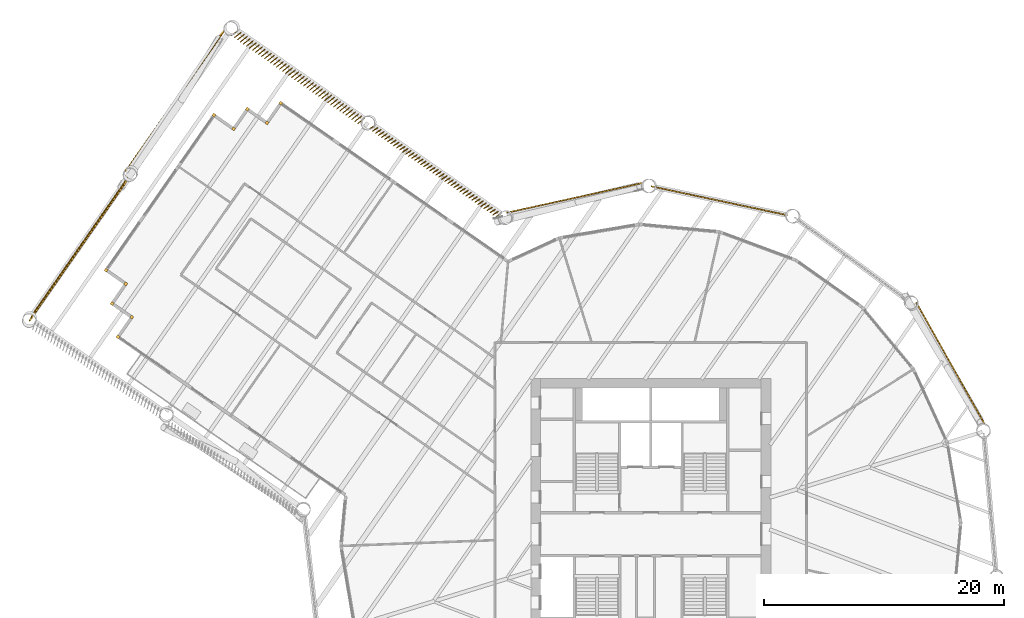
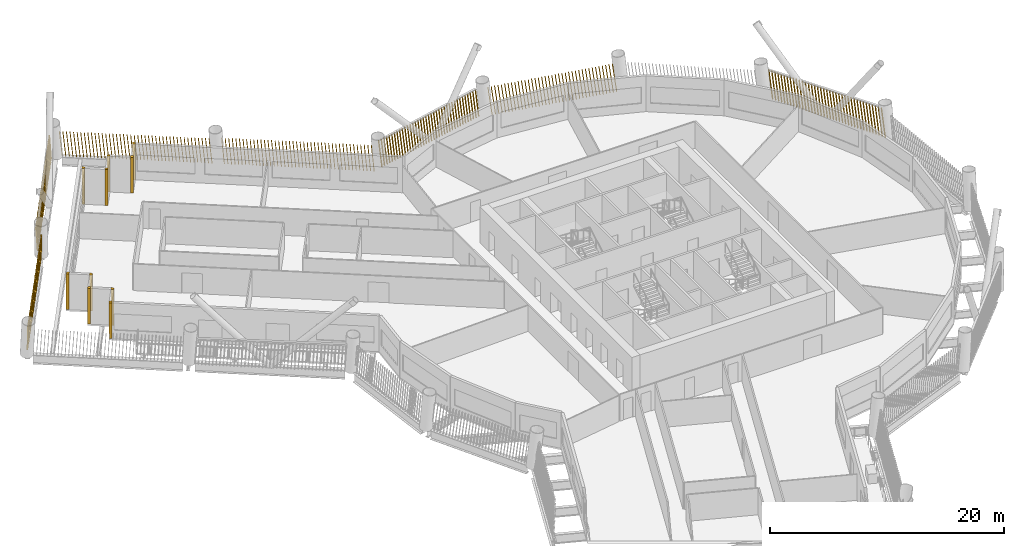
# One storey, part 21 of 23: 17 shading devices.
"""IFC4 building model written with IfcOpenShell, lengths in metres."""

from ifc_helpers import new_model, si_unit, direction, frame, frame_2d, origin, origin_2d, place, context, subcontext, project, spatial, rectangle, composite_profile, extrude, material, type_object, element, save


model = new_model("IFC4")

# Units and contexts
model_context = context("Model", 3, precision=1e-05, world=origin(), true_north=direction((0.0, 1.0)))
body_context = subcontext(model_context, "Body", "Model", "MODEL_VIEW")
ifc_project = project(units=[si_unit("LENGTHUNIT", "METRE"), si_unit("AREAUNIT", "SQUARE_METRE"), si_unit("VOLUMEUNIT", "CUBIC_METRE"), si_unit("PLANEANGLEUNIT", "RADIAN"), si_unit("MASSUNIT", "GRAM", prefix="KILO")], contexts=[model_context])

# Site, building, storey
site_placement = place(None, origin())
site = spatial("IfcSite", under=ifc_project, at=site_placement, CompositionType="ELEMENT")
building_placement = place(site_placement, origin())
building = spatial("IfcBuilding", under=site, at=building_placement, Name="Tarsis Ring Headquarters", CompositionType="ELEMENT")
storey_placement = place(building_placement, frame((0.0, 0.0, 131.800048828125)))
storey = spatial("IfcBuildingStorey", under=building, at=storey_placement, Name="L30", CompositionType="ELEMENT", Elevation=131.800048828125)

# Shading devices
ifc_material = material(Name="Terracotta baguette", Category="masonry")
shading_device_type_1 = type_object("IfcShadingDeviceType", Name="Terracotta baguette screen", PredefinedType="USERDEFINED", material=ifc_material)
shading_device_1_placement = place(storey_placement, frame((27.83740234375, 9.190185546875, 0.0), z_axis=(0.0, 0.0, 1.0), x_axis=(-0.489853499729, 0.871795984807, 0.0)))
element("IfcShadingDevice", 1, at=shading_device_1_placement, inside=storey, type_object=shading_device_type_1, Name="Baguette screen L30-11", ObjectType="Terracotta baguette screen", PredefinedType="USERDEFINED", context=body_context, shape_type="SweptSolid", body=[
    extrude(composite_profile([rectangle(XDim=0.06005859375, YDim=0.1201171875, at=frame_2d((0.030029296875, 0.0))), rectangle(XDim=0.06005859375, YDim=0.1201171875, at=frame_2d((0.33251953125, 0.0))), rectangle(XDim=0.06005859375, YDim=0.1201171875, at=frame_2d((0.634765625, 0.0))), rectangle(XDim=0.06005859375, YDim=0.1201171875, at=frame_2d((0.937255859375, 0.0))), rectangle(XDim=0.06005859375, YDim=0.1201171875, at=frame_2d((1.239501953125, 0.0))), rectangle(XDim=0.06005859375, YDim=0.1201171875, at=frame_2d((1.5419921875, 0.0))), rectangle(XDim=0.06005859375, YDim=0.1201171875, at=frame_2d((1.844482421875, 0.0))), rectangle(XDim=0.06005859375, YDim=0.1201171875, at=frame_2d((2.146728515625, 0.0))), rectangle(XDim=0.06005859375, YDim=0.1201171875, at=frame_2d((2.44921875, 0.0))), rectangle(XDim=0.06005859375, YDim=0.1201171875, at=frame_2d((2.751708984375, 0.0))), rectangle(XDim=0.06005859375, YDim=0.1201171875, at=frame_2d((3.053955078125, 0.0))), rectangle(XDim=0.06005859375, YDim=0.1201171875, at=frame_2d((3.3564453125, 0.0))), rectangle(XDim=0.06005859375, YDim=0.1201171875, at=frame_2d((3.65869140625, 0.0))), rectangle(XDim=0.06005859375, YDim=0.1201171875, at=frame_2d((3.961181640625, 0.0))), rectangle(XDim=0.06005859375, YDim=0.1201171875, at=frame_2d((4.263671875, 0.0))), rectangle(XDim=0.06005859375, YDim=0.1201171875, at=frame_2d((4.56591796875, 0.0))), rectangle(XDim=0.06005859375, YDim=0.1201171875, at=frame_2d((4.868408203125, 0.0))), rectangle(XDim=0.06005859375, YDim=0.1201171875, at=frame_2d((5.1708984375, 0.0))), rectangle(XDim=0.06005859375, YDim=0.1201171875, at=frame_2d((5.47314453125, 0.0))), rectangle(XDim=0.06005859375, YDim=0.1201171875, at=frame_2d((5.775634765625, 0.0))), rectangle(XDim=0.06005859375, YDim=0.1201171875, at=frame_2d((6.077880859375, 0.0))), rectangle(XDim=0.06005859375, YDim=0.1201171875, at=frame_2d((6.38037109375, 0.0))), rectangle(XDim=0.06005859375, YDim=0.1201171875, at=frame_2d((6.682861328125, 0.0))), rectangle(XDim=0.06005859375, YDim=0.1201171875, at=frame_2d((6.985107421875, 0.0))), rectangle(XDim=0.06005859375, YDim=0.1201171875, at=frame_2d((7.28759765625, 0.0))), rectangle(XDim=0.06005859375, YDim=0.1201171875, at=frame_2d((7.590087890625, 0.0))), rectangle(XDim=0.06005859375, YDim=0.1201171875, at=frame_2d((7.892333984375, 0.0))), rectangle(XDim=0.06005859375, YDim=0.1201171875, at=frame_2d((8.19482421875, 0.0))), rectangle(XDim=0.06005859375, YDim=0.1201171875, at=frame_2d((8.4970703125, 0.0))), rectangle(XDim=0.06005859375, YDim=0.1201171875, at=frame_2d((8.799560546875, 0.0))), rectangle(XDim=0.06005859375, YDim=0.1201171875, at=frame_2d((9.10205078125, 0.0))), rectangle(XDim=0.06005859375, YDim=0.1201171875, at=frame_2d((9.404296875, 0.0))), rectangle(XDim=0.06005859375, YDim=0.1201171875, at=frame_2d((9.706787109375, 0.0))), rectangle(XDim=0.06005859375, YDim=0.1201171875, at=frame_2d((10.00927734375, 0.0))), rectangle(XDim=0.06005859375, YDim=0.1201171875, at=frame_2d((10.3115234375, 0.0))), rectangle(XDim=0.06005859375, YDim=0.1201171875, at=frame_2d((10.614013671875, 0.0))), rectangle(XDim=0.06005859375, YDim=0.1201171875, at=frame_2d((10.916259765625, 0.0))), rectangle(XDim=0.06005859375, YDim=0.1201171875, at=frame_2d((11.21875, 0.0)))]), origin(), (0.131493755415, 0.000894945445, 0.991316594918), 2.978515625),
])
shading_device_2_placement = place(storey_placement, frame((11.397705078125, 26.60888671875, 0.0), z_axis=(0.0, 0.0, 1.0), x_axis=(-0.978209441129, 0.207639717851, 0.0)))
element("IfcShadingDevice", 2, at=shading_device_2_placement, inside=storey, type_object=shading_device_type_1, Name="Baguette screen L30-13", ObjectType="Terracotta baguette screen", PredefinedType="USERDEFINED", context=body_context, shape_type="SweptSolid", body=[
    extrude(composite_profile([rectangle(XDim=0.06005859375, YDim=0.1201171875, at=frame_2d((0.030029296875, 0.0))), rectangle(XDim=0.06005859375, YDim=0.1201171875, at=frame_2d((0.33251953125, 0.0))), rectangle(XDim=0.06005859375, YDim=0.1201171875, at=frame_2d((0.634765625, 0.0))), rectangle(XDim=0.06005859375, YDim=0.1201171875, at=frame_2d((0.937255859375, 0.0))), rectangle(XDim=0.06005859375, YDim=0.1201171875, at=frame_2d((1.239501953125, 0.0))), rectangle(XDim=0.06005859375, YDim=0.1201171875, at=frame_2d((1.5419921875, 0.0))), rectangle(XDim=0.06005859375, YDim=0.1201171875, at=frame_2d((1.844482421875, 0.0))), rectangle(XDim=0.06005859375, YDim=0.1201171875, at=frame_2d((2.146728515625, 0.0))), rectangle(XDim=0.06005859375, YDim=0.1201171875, at=frame_2d((2.44921875, 0.0))), rectangle(XDim=0.06005859375, YDim=0.1201171875, at=frame_2d((2.751708984375, 0.0))), rectangle(XDim=0.06005859375, YDim=0.1201171875, at=frame_2d((3.053955078125, 0.0))), rectangle(XDim=0.06005859375, YDim=0.1201171875, at=frame_2d((3.3564453125, 0.0))), rectangle(XDim=0.06005859375, YDim=0.1201171875, at=frame_2d((3.65869140625, 0.0))), rectangle(XDim=0.06005859375, YDim=0.1201171875, at=frame_2d((3.961181640625, 0.0))), rectangle(XDim=0.06005859375, YDim=0.1201171875, at=frame_2d((4.263671875, 0.0))), rectangle(XDim=0.06005859375, YDim=0.1201171875, at=frame_2d((4.56591796875, 0.0))), rectangle(XDim=0.06005859375, YDim=0.1201171875, at=frame_2d((4.868408203125, 0.0))), rectangle(XDim=0.06005859375, YDim=0.1201171875, at=frame_2d((5.1708984375, 0.0))), rectangle(XDim=0.06005859375, YDim=0.1201171875, at=frame_2d((5.47314453125, 0.0))), rectangle(XDim=0.06005859375, YDim=0.1201171875, at=frame_2d((5.775634765625, 0.0))), rectangle(XDim=0.06005859375, YDim=0.1201171875, at=frame_2d((6.077880859375, 0.0))), rectangle(XDim=0.06005859375, YDim=0.1201171875, at=frame_2d((6.38037109375, 0.0))), rectangle(XDim=0.06005859375, YDim=0.1201171875, at=frame_2d((6.682861328125, 0.0))), rectangle(XDim=0.06005859375, YDim=0.1201171875, at=frame_2d((6.985107421875, 0.0))), rectangle(XDim=0.06005859375, YDim=0.1201171875, at=frame_2d((7.28759765625, 0.0))), rectangle(XDim=0.06005859375, YDim=0.1201171875, at=frame_2d((7.590087890625, 0.0))), rectangle(XDim=0.06005859375, YDim=0.1201171875, at=frame_2d((7.892333984375, 0.0))), rectangle(XDim=0.06005859375, YDim=0.1201171875, at=frame_2d((8.19482421875, 0.0))), rectangle(XDim=0.06005859375, YDim=0.1201171875, at=frame_2d((8.4970703125, 0.0))), rectangle(XDim=0.06005859375, YDim=0.1201171875, at=frame_2d((8.799560546875, 0.0))), rectangle(XDim=0.06005859375, YDim=0.1201171875, at=frame_2d((9.10205078125, 0.0))), rectangle(XDim=0.06005859375, YDim=0.1201171875, at=frame_2d((9.404296875, 0.0))), rectangle(XDim=0.06005859375, YDim=0.1201171875, at=frame_2d((9.706787109375, 0.0))), rectangle(XDim=0.06005859375, YDim=0.1201171875, at=frame_2d((10.00927734375, 0.0))), rectangle(XDim=0.06005859375, YDim=0.1201171875, at=frame_2d((10.3115234375, 0.0))), rectangle(XDim=0.06005859375, YDim=0.1201171875, at=frame_2d((10.614013671875, 0.0))), rectangle(XDim=0.06005859375, YDim=0.1201171875, at=frame_2d((10.916259765625, 0.0))), rectangle(XDim=0.06005859375, YDim=0.1201171875, at=frame_2d((11.21875, 0.0)))]), origin(), (0.129810655173, 0.000884144365, 0.991538406766), 2.977783203125),
])
shading_device_3_placement = place(storey_placement, frame((-0.663818359375, 29.3076171875, 0.0), z_axis=(0.0, 0.0, 1.0), x_axis=(-0.976820401519, -0.214020618557, 0.0)))
element("IfcShadingDevice", 3, at=shading_device_3_placement, inside=storey, type_object=shading_device_type_1, Name="Baguette screen L30-14", ObjectType="Terracotta baguette screen", PredefinedType="USERDEFINED", context=body_context, shape_type="SweptSolid", body=[
    extrude(composite_profile([rectangle(XDim=0.06005859375, YDim=0.1201171875, at=frame_2d((0.030029296875, 0.0))), rectangle(XDim=0.06005859375, YDim=0.1201171875, at=frame_2d((0.33251953125, 0.0))), rectangle(XDim=0.06005859375, YDim=0.1201171875, at=frame_2d((0.634765625, 0.0))), rectangle(XDim=0.06005859375, YDim=0.1201171875, at=frame_2d((0.937255859375, 0.0))), rectangle(XDim=0.06005859375, YDim=0.1201171875, at=frame_2d((1.239501953125, 0.0))), rectangle(XDim=0.06005859375, YDim=0.1201171875, at=frame_2d((1.5419921875, 0.0))), rectangle(XDim=0.06005859375, YDim=0.1201171875, at=frame_2d((1.844482421875, 0.0))), rectangle(XDim=0.06005859375, YDim=0.1201171875, at=frame_2d((2.146728515625, 0.0))), rectangle(XDim=0.06005859375, YDim=0.1201171875, at=frame_2d((2.44921875, 0.0))), rectangle(XDim=0.06005859375, YDim=0.1201171875, at=frame_2d((2.751708984375, 0.0))), rectangle(XDim=0.06005859375, YDim=0.1201171875, at=frame_2d((3.053955078125, 0.0))), rectangle(XDim=0.06005859375, YDim=0.1201171875, at=frame_2d((3.3564453125, 0.0))), rectangle(XDim=0.06005859375, YDim=0.1201171875, at=frame_2d((3.65869140625, 0.0))), rectangle(XDim=0.06005859375, YDim=0.1201171875, at=frame_2d((3.961181640625, 0.0))), rectangle(XDim=0.06005859375, YDim=0.1201171875, at=frame_2d((4.263671875, 0.0))), rectangle(XDim=0.06005859375, YDim=0.1201171875, at=frame_2d((4.56591796875, 0.0))), rectangle(XDim=0.06005859375, YDim=0.1201171875, at=frame_2d((4.868408203125, 0.0))), rectangle(XDim=0.06005859375, YDim=0.1201171875, at=frame_2d((5.1708984375, 0.0))), rectangle(XDim=0.06005859375, YDim=0.1201171875, at=frame_2d((5.47314453125, 0.0))), rectangle(XDim=0.06005859375, YDim=0.1201171875, at=frame_2d((5.775634765625, 0.0))), rectangle(XDim=0.06005859375, YDim=0.1201171875, at=frame_2d((6.077880859375, 0.0))), rectangle(XDim=0.06005859375, YDim=0.1201171875, at=frame_2d((6.38037109375, 0.0))), rectangle(XDim=0.06005859375, YDim=0.1201171875, at=frame_2d((6.682861328125, 0.0))), rectangle(XDim=0.06005859375, YDim=0.1201171875, at=frame_2d((6.985107421875, 0.0))), rectangle(XDim=0.06005859375, YDim=0.1201171875, at=frame_2d((7.28759765625, 0.0))), rectangle(XDim=0.06005859375, YDim=0.1201171875, at=frame_2d((7.590087890625, 0.0))), rectangle(XDim=0.06005859375, YDim=0.1201171875, at=frame_2d((7.892333984375, 0.0))), rectangle(XDim=0.06005859375, YDim=0.1201171875, at=frame_2d((8.19482421875, 0.0))), rectangle(XDim=0.06005859375, YDim=0.1201171875, at=frame_2d((8.4970703125, 0.0))), rectangle(XDim=0.06005859375, YDim=0.1201171875, at=frame_2d((8.799560546875, 0.0))), rectangle(XDim=0.06005859375, YDim=0.1201171875, at=frame_2d((9.10205078125, 0.0))), rectangle(XDim=0.06005859375, YDim=0.1201171875, at=frame_2d((9.404296875, 0.0))), rectangle(XDim=0.06005859375, YDim=0.1201171875, at=frame_2d((9.706787109375, 0.0))), rectangle(XDim=0.06005859375, YDim=0.1201171875, at=frame_2d((10.00927734375, 0.0))), rectangle(XDim=0.06005859375, YDim=0.1201171875, at=frame_2d((10.3115234375, 0.0))), rectangle(XDim=0.06005859375, YDim=0.1201171875, at=frame_2d((10.614013671875, 0.0))), rectangle(XDim=0.06005859375, YDim=0.1201171875, at=frame_2d((10.916259765625, 0.0))), rectangle(XDim=0.06005859375, YDim=0.1201171875, at=frame_2d((11.21875, 0.0)))]), origin(), (0.131494138913, 0.000896456622, 0.991316542683), 2.978515625),
])
shading_device_4_placement = place(storey_placement, frame((-12.470458984375, 26.71240234375, 0.0), z_axis=(0.0, 0.0, 1.0), x_axis=(-0.820750075689, 0.571279897063, 0.0)))
element("IfcShadingDevice", 4, at=shading_device_4_placement, inside=storey, type_object=shading_device_type_1, Name="Baguette screen L30-15", ObjectType="Terracotta baguette screen", PredefinedType="USERDEFINED", context=body_context, shape_type="SweptSolid", body=[
    extrude(composite_profile([rectangle(XDim=0.06005859375, YDim=0.1201171875, at=frame_2d((0.030029296875, 0.0))), rectangle(XDim=0.06005859375, YDim=0.1201171875, at=frame_2d((0.335693359375, 0.0))), rectangle(XDim=0.06005859375, YDim=0.1201171875, at=frame_2d((0.6416015625, 0.0))), rectangle(XDim=0.06005859375, YDim=0.1201171875, at=frame_2d((0.947265625, 0.0))), rectangle(XDim=0.06005859375, YDim=0.1201171875, at=frame_2d((1.253173828125, 0.0))), rectangle(XDim=0.06005859375, YDim=0.1201171875, at=frame_2d((1.558837890625, 0.0))), rectangle(XDim=0.06005859375, YDim=0.1201171875, at=frame_2d((1.864501953125, 0.0))), rectangle(XDim=0.06005859375, YDim=0.1201171875, at=frame_2d((2.17041015625, 0.0))), rectangle(XDim=0.06005859375, YDim=0.1201171875, at=frame_2d((2.47607421875, 0.0))), rectangle(XDim=0.06005859375, YDim=0.1201171875, at=frame_2d((2.781982421875, 0.0))), rectangle(XDim=0.06005859375, YDim=0.1201171875, at=frame_2d((3.087646484375, 0.0))), rectangle(XDim=0.06005859375, YDim=0.1201171875, at=frame_2d((3.393310546875, 0.0))), rectangle(XDim=0.06005859375, YDim=0.1201171875, at=frame_2d((3.69921875, 0.0))), rectangle(XDim=0.06005859375, YDim=0.1201171875, at=frame_2d((4.0048828125, 0.0))), rectangle(XDim=0.06005859375, YDim=0.1201171875, at=frame_2d((4.310791015625, 0.0))), rectangle(XDim=0.06005859375, YDim=0.1201171875, at=frame_2d((4.616455078125, 0.0))), rectangle(XDim=0.06005859375, YDim=0.1201171875, at=frame_2d((4.922119140625, 0.0))), rectangle(XDim=0.06005859375, YDim=0.1201171875, at=frame_2d((5.22802734375, 0.0))), rectangle(XDim=0.06005859375, YDim=0.1201171875, at=frame_2d((5.53369140625, 0.0))), rectangle(XDim=0.06005859375, YDim=0.1201171875, at=frame_2d((5.839599609375, 0.0))), rectangle(XDim=0.06005859375, YDim=0.1201171875, at=frame_2d((6.145263671875, 0.0))), rectangle(XDim=0.06005859375, YDim=0.1201171875, at=frame_2d((6.451171875, 0.0))), rectangle(XDim=0.06005859375, YDim=0.1201171875, at=frame_2d((6.7568359375, 0.0))), rectangle(XDim=0.06005859375, YDim=0.1201171875, at=frame_2d((7.0625, 0.0))), rectangle(XDim=0.06005859375, YDim=0.1201171875, at=frame_2d((7.368408203125, 0.0))), rectangle(XDim=0.06005859375, YDim=0.1201171875, at=frame_2d((7.674072265625, 0.0))), rectangle(XDim=0.06005859375, YDim=0.1201171875, at=frame_2d((7.97998046875, 0.0))), rectangle(XDim=0.06005859375, YDim=0.1201171875, at=frame_2d((8.28564453125, 0.0))), rectangle(XDim=0.06005859375, YDim=0.1201171875, at=frame_2d((8.59130859375, 0.0))), rectangle(XDim=0.06005859375, YDim=0.1201171875, at=frame_2d((8.897216796875, 0.0))), rectangle(XDim=0.06005859375, YDim=0.1201171875, at=frame_2d((9.202880859375, 0.0))), rectangle(XDim=0.06005859375, YDim=0.1201171875, at=frame_2d((9.5087890625, 0.0))), rectangle(XDim=0.06005859375, YDim=0.1201171875, at=frame_2d((9.814453125, 0.0))), rectangle(XDim=0.06005859375, YDim=0.1201171875, at=frame_2d((10.1201171875, 0.0))), rectangle(XDim=0.06005859375, YDim=0.1201171875, at=frame_2d((10.426025390625, 0.0))), rectangle(XDim=0.06005859375, YDim=0.1201171875, at=frame_2d((10.731689453125, 0.0))), rectangle(XDim=0.06005859375, YDim=0.1201171875, at=frame_2d((11.03759765625, 0.0))), rectangle(XDim=0.06005859375, YDim=0.1201171875, at=frame_2d((11.34326171875, 0.0))), rectangle(XDim=0.06005859375, YDim=0.1201171875, at=frame_2d((11.64892578125, 0.0))), rectangle(XDim=0.06005859375, YDim=0.1201171875, at=frame_2d((11.954833984375, 0.0))), rectangle(XDim=0.06005859375, YDim=0.1201171875, at=frame_2d((12.260498046875, 0.0))), rectangle(XDim=0.06005859375, YDim=0.1201171875, at=frame_2d((12.56640625, 0.0))), rectangle(XDim=0.06005859375, YDim=0.1201171875, at=frame_2d((12.8720703125, 0.0)))]), origin(), (0.066364941275, 0.1458443981, 0.987079077943), 2.9912109375),
])
shading_device_5_placement = place(storey_placement, frame((-23.880615234375, 34.654541015625, 0.0), z_axis=(0.0, 0.0, 1.0), x_axis=(-0.820750075689, 0.571279897063, 0.0)))
element("IfcShadingDevice", 5, at=shading_device_5_placement, inside=storey, type_object=shading_device_type_1, Name="Baguette screen L30-16", ObjectType="Terracotta baguette screen", PredefinedType="USERDEFINED", context=body_context, shape_type="SweptSolid", body=[
    extrude(composite_profile([rectangle(XDim=0.06005859375, YDim=0.1201171875, at=frame_2d((0.030029296875, 0.0))), rectangle(XDim=0.06005859375, YDim=0.1201171875, at=frame_2d((0.335693359375, 0.0))), rectangle(XDim=0.06005859375, YDim=0.1201171875, at=frame_2d((0.6416015625, 0.0))), rectangle(XDim=0.06005859375, YDim=0.1201171875, at=frame_2d((0.947265625, 0.0))), rectangle(XDim=0.06005859375, YDim=0.1201171875, at=frame_2d((1.253173828125, 0.0))), rectangle(XDim=0.06005859375, YDim=0.1201171875, at=frame_2d((1.558837890625, 0.0))), rectangle(XDim=0.06005859375, YDim=0.1201171875, at=frame_2d((1.864501953125, 0.0))), rectangle(XDim=0.06005859375, YDim=0.1201171875, at=frame_2d((2.17041015625, 0.0))), rectangle(XDim=0.06005859375, YDim=0.1201171875, at=frame_2d((2.47607421875, 0.0))), rectangle(XDim=0.06005859375, YDim=0.1201171875, at=frame_2d((2.781982421875, 0.0))), rectangle(XDim=0.06005859375, YDim=0.1201171875, at=frame_2d((3.087646484375, 0.0))), rectangle(XDim=0.06005859375, YDim=0.1201171875, at=frame_2d((3.393310546875, 0.0))), rectangle(XDim=0.06005859375, YDim=0.1201171875, at=frame_2d((3.69921875, 0.0))), rectangle(XDim=0.06005859375, YDim=0.1201171875, at=frame_2d((4.0048828125, 0.0))), rectangle(XDim=0.06005859375, YDim=0.1201171875, at=frame_2d((4.310791015625, 0.0))), rectangle(XDim=0.06005859375, YDim=0.1201171875, at=frame_2d((4.616455078125, 0.0))), rectangle(XDim=0.06005859375, YDim=0.1201171875, at=frame_2d((4.922119140625, 0.0))), rectangle(XDim=0.06005859375, YDim=0.1201171875, at=frame_2d((5.22802734375, 0.0))), rectangle(XDim=0.06005859375, YDim=0.1201171875, at=frame_2d((5.53369140625, 0.0))), rectangle(XDim=0.06005859375, YDim=0.1201171875, at=frame_2d((5.839599609375, 0.0))), rectangle(XDim=0.06005859375, YDim=0.1201171875, at=frame_2d((6.145263671875, 0.0))), rectangle(XDim=0.06005859375, YDim=0.1201171875, at=frame_2d((6.451171875, 0.0))), rectangle(XDim=0.06005859375, YDim=0.1201171875, at=frame_2d((6.7568359375, 0.0))), rectangle(XDim=0.06005859375, YDim=0.1201171875, at=frame_2d((7.0625, 0.0))), rectangle(XDim=0.06005859375, YDim=0.1201171875, at=frame_2d((7.368408203125, 0.0))), rectangle(XDim=0.06005859375, YDim=0.1201171875, at=frame_2d((7.674072265625, 0.0))), rectangle(XDim=0.06005859375, YDim=0.1201171875, at=frame_2d((7.97998046875, 0.0))), rectangle(XDim=0.06005859375, YDim=0.1201171875, at=frame_2d((8.28564453125, 0.0))), rectangle(XDim=0.06005859375, YDim=0.1201171875, at=frame_2d((8.59130859375, 0.0))), rectangle(XDim=0.06005859375, YDim=0.1201171875, at=frame_2d((8.897216796875, 0.0))), rectangle(XDim=0.06005859375, YDim=0.1201171875, at=frame_2d((9.202880859375, 0.0))), rectangle(XDim=0.06005859375, YDim=0.1201171875, at=frame_2d((9.5087890625, 0.0))), rectangle(XDim=0.06005859375, YDim=0.1201171875, at=frame_2d((9.814453125, 0.0))), rectangle(XDim=0.06005859375, YDim=0.1201171875, at=frame_2d((10.1201171875, 0.0))), rectangle(XDim=0.06005859375, YDim=0.1201171875, at=frame_2d((10.426025390625, 0.0))), rectangle(XDim=0.06005859375, YDim=0.1201171875, at=frame_2d((10.731689453125, 0.0))), rectangle(XDim=0.06005859375, YDim=0.1201171875, at=frame_2d((11.03759765625, 0.0))), rectangle(XDim=0.06005859375, YDim=0.1201171875, at=frame_2d((11.34326171875, 0.0))), rectangle(XDim=0.06005859375, YDim=0.1201171875, at=frame_2d((11.64892578125, 0.0))), rectangle(XDim=0.06005859375, YDim=0.1201171875, at=frame_2d((11.954833984375, 0.0))), rectangle(XDim=0.06005859375, YDim=0.1201171875, at=frame_2d((12.260498046875, 0.0))), rectangle(XDim=0.06005859375, YDim=0.1201171875, at=frame_2d((12.56640625, 0.0))), rectangle(XDim=0.06005859375, YDim=0.1201171875, at=frame_2d((12.8720703125, 0.0)))]), origin(), (0.065207911681, 0.206809077302, 0.976205886993), 3.024658203125),
])
shading_device_6_placement = place(storey_placement, frame((-35.47412109375, 42.114990234375, 0.0), z_axis=(0.0, 0.0, 1.0), x_axis=(-0.571269349845, -0.820751879699, 0.0)))
element("IfcShadingDevice", 6, at=shading_device_6_placement, inside=storey, type_object=shading_device_type_1, Name="Baguette screen L30-17", ObjectType="Terracotta baguette screen", PredefinedType="USERDEFINED", context=body_context, shape_type="SweptSolid", body=[
    extrude(composite_profile([rectangle(XDim=0.06005859375, YDim=0.1201171875, at=frame_2d((0.030029296875, 0.0))), rectangle(XDim=0.06005859375, YDim=0.1201171875, at=frame_2d((0.33544921875, 0.0))), rectangle(XDim=0.06005859375, YDim=0.1201171875, at=frame_2d((0.640625, 0.0))), rectangle(XDim=0.06005859375, YDim=0.1201171875, at=frame_2d((0.946044921875, 0.0))), rectangle(XDim=0.06005859375, YDim=0.1201171875, at=frame_2d((1.25146484375, 0.0))), rectangle(XDim=0.06005859375, YDim=0.1201171875, at=frame_2d((1.556640625, 0.0))), rectangle(XDim=0.06005859375, YDim=0.1201171875, at=frame_2d((1.862060546875, 0.0))), rectangle(XDim=0.06005859375, YDim=0.1201171875, at=frame_2d((2.16748046875, 0.0))), rectangle(XDim=0.06005859375, YDim=0.1201171875, at=frame_2d((2.47265625, 0.0))), rectangle(XDim=0.06005859375, YDim=0.1201171875, at=frame_2d((2.778076171875, 0.0))), rectangle(XDim=0.06005859375, YDim=0.1201171875, at=frame_2d((3.08349609375, 0.0))), rectangle(XDim=0.06005859375, YDim=0.1201171875, at=frame_2d((3.388671875, 0.0))), rectangle(XDim=0.06005859375, YDim=0.1201171875, at=frame_2d((3.694091796875, 0.0))), rectangle(XDim=0.06005859375, YDim=0.1201171875, at=frame_2d((3.99951171875, 0.0))), rectangle(XDim=0.06005859375, YDim=0.1201171875, at=frame_2d((4.3046875, 0.0))), rectangle(XDim=0.06005859375, YDim=0.1201171875, at=frame_2d((4.610107421875, 0.0))), rectangle(XDim=0.06005859375, YDim=0.1201171875, at=frame_2d((4.91552734375, 0.0))), rectangle(XDim=0.06005859375, YDim=0.1201171875, at=frame_2d((5.220703125, 0.0))), rectangle(XDim=0.06005859375, YDim=0.1201171875, at=frame_2d((5.526123046875, 0.0))), rectangle(XDim=0.06005859375, YDim=0.1201171875, at=frame_2d((5.83154296875, 0.0))), rectangle(XDim=0.06005859375, YDim=0.1201171875, at=frame_2d((6.13671875, 0.0))), rectangle(XDim=0.06005859375, YDim=0.1201171875, at=frame_2d((6.442138671875, 0.0))), rectangle(XDim=0.06005859375, YDim=0.1201171875, at=frame_2d((6.74755859375, 0.0))), rectangle(XDim=0.06005859375, YDim=0.1201171875, at=frame_2d((7.052734375, 0.0))), rectangle(XDim=0.06005859375, YDim=0.1201171875, at=frame_2d((7.358154296875, 0.0))), rectangle(XDim=0.06005859375, YDim=0.1201171875, at=frame_2d((7.66357421875, 0.0))), rectangle(XDim=0.06005859375, YDim=0.1201171875, at=frame_2d((7.96875, 0.0))), rectangle(XDim=0.06005859375, YDim=0.1201171875, at=frame_2d((8.274169921875, 0.0))), rectangle(XDim=0.06005859375, YDim=0.1201171875, at=frame_2d((8.57958984375, 0.0))), rectangle(XDim=0.06005859375, YDim=0.1201171875, at=frame_2d((8.884765625, 0.0))), rectangle(XDim=0.06005859375, YDim=0.1201171875, at=frame_2d((9.190185546875, 0.0))), rectangle(XDim=0.06005859375, YDim=0.1201171875, at=frame_2d((9.49560546875, 0.0))), rectangle(XDim=0.06005859375, YDim=0.1201171875, at=frame_2d((9.80078125, 0.0))), rectangle(XDim=0.06005859375, YDim=0.1201171875, at=frame_2d((10.106201171875, 0.0))), rectangle(XDim=0.06005859375, YDim=0.1201171875, at=frame_2d((10.41162109375, 0.0))), rectangle(XDim=0.06005859375, YDim=0.1201171875, at=frame_2d((10.716796875, 0.0))), rectangle(XDim=0.06005859375, YDim=0.1201171875, at=frame_2d((11.022216796875, 0.0))), rectangle(XDim=0.06005859375, YDim=0.1201171875, at=frame_2d((11.32763671875, 0.0))), rectangle(XDim=0.06005859375, YDim=0.1201171875, at=frame_2d((11.6328125, 0.0))), rectangle(XDim=0.06005859375, YDim=0.1201171875, at=frame_2d((11.938232421875, 0.0))), rectangle(XDim=0.06005859375, YDim=0.1201171875, at=frame_2d((12.24365234375, 0.0))), rectangle(XDim=0.06005859375, YDim=0.1201171875, at=frame_2d((12.548828125, 0.0))), rectangle(XDim=0.06005859375, YDim=0.1201171875, at=frame_2d((12.854248046875, 0.0))), rectangle(XDim=0.06005859375, YDim=0.1201171875, at=frame_2d((13.15966796875, 0.0))), rectangle(XDim=0.06005859375, YDim=0.1201171875, at=frame_2d((13.46484375, 0.0))), rectangle(XDim=0.06005859375, YDim=0.1201171875, at=frame_2d((13.770263671875, 0.0)))]), origin(), (0.238204372433, -0.031501349237, 0.97070404447), 3.041748046875),
])
shading_device_7_placement = place(storey_placement, frame((-43.621337890625, 29.753662109375, 0.0), z_axis=(0.0, 0.0, 1.0), x_axis=(-0.571287041132, -0.820751879699, 0.0)))
element("IfcShadingDevice", 7, at=shading_device_7_placement, inside=storey, type_object=shading_device_type_1, Name="Baguette screen L30-18", ObjectType="Terracotta baguette screen", PredefinedType="USERDEFINED", context=body_context, shape_type="SweptSolid", body=[
    extrude(composite_profile([rectangle(XDim=0.06005859375, YDim=0.1201171875, at=frame_2d((0.030029296875, 0.0))), rectangle(XDim=0.06005859375, YDim=0.1201171875, at=frame_2d((0.33544921875, 0.0))), rectangle(XDim=0.06005859375, YDim=0.1201171875, at=frame_2d((0.640625, 0.0))), rectangle(XDim=0.06005859375, YDim=0.1201171875, at=frame_2d((0.946044921875, 0.0))), rectangle(XDim=0.06005859375, YDim=0.1201171875, at=frame_2d((1.25146484375, 0.0))), rectangle(XDim=0.06005859375, YDim=0.1201171875, at=frame_2d((1.556640625, 0.0))), rectangle(XDim=0.06005859375, YDim=0.1201171875, at=frame_2d((1.862060546875, 0.0))), rectangle(XDim=0.06005859375, YDim=0.1201171875, at=frame_2d((2.16748046875, 0.0))), rectangle(XDim=0.06005859375, YDim=0.1201171875, at=frame_2d((2.47265625, 0.0))), rectangle(XDim=0.06005859375, YDim=0.1201171875, at=frame_2d((2.778076171875, 0.0))), rectangle(XDim=0.06005859375, YDim=0.1201171875, at=frame_2d((3.08349609375, 0.0))), rectangle(XDim=0.06005859375, YDim=0.1201171875, at=frame_2d((3.388671875, 0.0))), rectangle(XDim=0.06005859375, YDim=0.1201171875, at=frame_2d((3.694091796875, 0.0))), rectangle(XDim=0.06005859375, YDim=0.1201171875, at=frame_2d((3.99951171875, 0.0))), rectangle(XDim=0.06005859375, YDim=0.1201171875, at=frame_2d((4.3046875, 0.0))), rectangle(XDim=0.06005859375, YDim=0.1201171875, at=frame_2d((4.610107421875, 0.0))), rectangle(XDim=0.06005859375, YDim=0.1201171875, at=frame_2d((4.91552734375, 0.0))), rectangle(XDim=0.06005859375, YDim=0.1201171875, at=frame_2d((5.220703125, 0.0))), rectangle(XDim=0.06005859375, YDim=0.1201171875, at=frame_2d((5.526123046875, 0.0))), rectangle(XDim=0.06005859375, YDim=0.1201171875, at=frame_2d((5.83154296875, 0.0))), rectangle(XDim=0.06005859375, YDim=0.1201171875, at=frame_2d((6.13671875, 0.0))), rectangle(XDim=0.06005859375, YDim=0.1201171875, at=frame_2d((6.442138671875, 0.0))), rectangle(XDim=0.06005859375, YDim=0.1201171875, at=frame_2d((6.74755859375, 0.0))), rectangle(XDim=0.06005859375, YDim=0.1201171875, at=frame_2d((7.052734375, 0.0))), rectangle(XDim=0.06005859375, YDim=0.1201171875, at=frame_2d((7.358154296875, 0.0))), rectangle(XDim=0.06005859375, YDim=0.1201171875, at=frame_2d((7.66357421875, 0.0))), rectangle(XDim=0.06005859375, YDim=0.1201171875, at=frame_2d((7.96875, 0.0))), rectangle(XDim=0.06005859375, YDim=0.1201171875, at=frame_2d((8.274169921875, 0.0))), rectangle(XDim=0.06005859375, YDim=0.1201171875, at=frame_2d((8.57958984375, 0.0))), rectangle(XDim=0.06005859375, YDim=0.1201171875, at=frame_2d((8.884765625, 0.0))), rectangle(XDim=0.06005859375, YDim=0.1201171875, at=frame_2d((9.190185546875, 0.0))), rectangle(XDim=0.06005859375, YDim=0.1201171875, at=frame_2d((9.49560546875, 0.0))), rectangle(XDim=0.06005859375, YDim=0.1201171875, at=frame_2d((9.80078125, 0.0))), rectangle(XDim=0.06005859375, YDim=0.1201171875, at=frame_2d((10.106201171875, 0.0))), rectangle(XDim=0.06005859375, YDim=0.1201171875, at=frame_2d((10.41162109375, 0.0))), rectangle(XDim=0.06005859375, YDim=0.1201171875, at=frame_2d((10.716796875, 0.0))), rectangle(XDim=0.06005859375, YDim=0.1201171875, at=frame_2d((11.022216796875, 0.0))), rectangle(XDim=0.06005859375, YDim=0.1201171875, at=frame_2d((11.32763671875, 0.0))), rectangle(XDim=0.06005859375, YDim=0.1201171875, at=frame_2d((11.6328125, 0.0))), rectangle(XDim=0.06005859375, YDim=0.1201171875, at=frame_2d((11.938232421875, 0.0))), rectangle(XDim=0.06005859375, YDim=0.1201171875, at=frame_2d((12.24365234375, 0.0))), rectangle(XDim=0.06005859375, YDim=0.1201171875, at=frame_2d((12.548828125, 0.0))), rectangle(XDim=0.06005859375, YDim=0.1201171875, at=frame_2d((12.854248046875, 0.0))), rectangle(XDim=0.06005859375, YDim=0.1201171875, at=frame_2d((13.15966796875, 0.0))), rectangle(XDim=0.06005859375, YDim=0.1201171875, at=frame_2d((13.46484375, 0.0))), rectangle(XDim=0.06005859375, YDim=0.1201171875, at=frame_2d((13.770263671875, 0.0)))]), origin(), (0.236171826892, 0.034740715595, 0.971090083804), 3.04052734375),
])
shading_device_type_2 = type_object("IfcShadingDeviceType", Name="Terracotta corner baguette 250x250", PredefinedType="USERDEFINED", material=ifc_material)
for number, where, z_axis, x_axis, name in (
    (8, (-44.43603515625, 16.46142578125, 0.0), (0.0, 0.0, 1.0), (-0.571286698852, -0.820750575823, 0.0), "Corner baguette L30-01"),
    (9, (-30.867919921875, 35.9541015625, 0.0), (0.0, 0.0, 1.0), (-0.820750575823, 0.571286698852, 0.0), "Corner baguette L30-32"),
    (10, (-32.010498046875, 34.312744140625, 0.0), (0.0, 0.0, 1.0), (-0.571286598579, -0.820750645619, 0.0), "Corner baguette L30-33"),
    (11, (-33.65185546875, 35.455322265625, 0.0), (0.0, 0.0, 1.0), (-0.820750645619, 0.571286598579, 0.0), "Corner baguette L30-34"),
    (12, (-34.79443359375, 33.813720703125, 0.0), (0.0, 0.0, 1.0), (-0.571286942374, -0.820750406319, 0.0), "Corner baguette L30-35"),
    (13, (-36.43603515625, 34.956298828125, 0.0), (0.0, 0.0, 1.0), (-0.820750645619, 0.571286598579, 0.0), "Corner baguette L30-36"),
    (14, (-45.433837890625, 22.029541015625, 0.0), (0.0, 0.0, 1.0), (-0.571286741827, -0.820750545911, 0.0), "Corner baguette L30-37"),
    (15, (-43.792236328125, 20.886962890625, 0.0), (0.0, 0.0, 1.0), (0.820750805152, -0.571286369382, 0.0), "Corner baguette L30-38"),
    (16, (-44.934814453125, 19.245361328125, 0.0), (0.0, 0.0, 1.0), (-0.571286369382, -0.820750805152, 0.0), "Corner baguette L30-39"),
    (17, (-43.29345703125, 18.102783203125, 0.0), (0.0, 0.0, 1.0), (0.820750874948, -0.571286269108, 0.0), "Corner baguette L30-40"),
):
    element("IfcShadingDevice", number, at=place(storey_placement, frame(where, z_axis=z_axis, x_axis=x_axis)), inside=storey, type_object=shading_device_type_2, Name=name, ObjectType="Terracotta corner baguette", PredefinedType="USERDEFINED", context=body_context, shape_type="SweptSolid", body=[
        extrude(rectangle(XDim=0.25, YDim=0.25, at=origin_2d()), origin(), (0.0, 0.0, 1.0), 3.739990234375),
    ])

save(model, "model.ifc")
